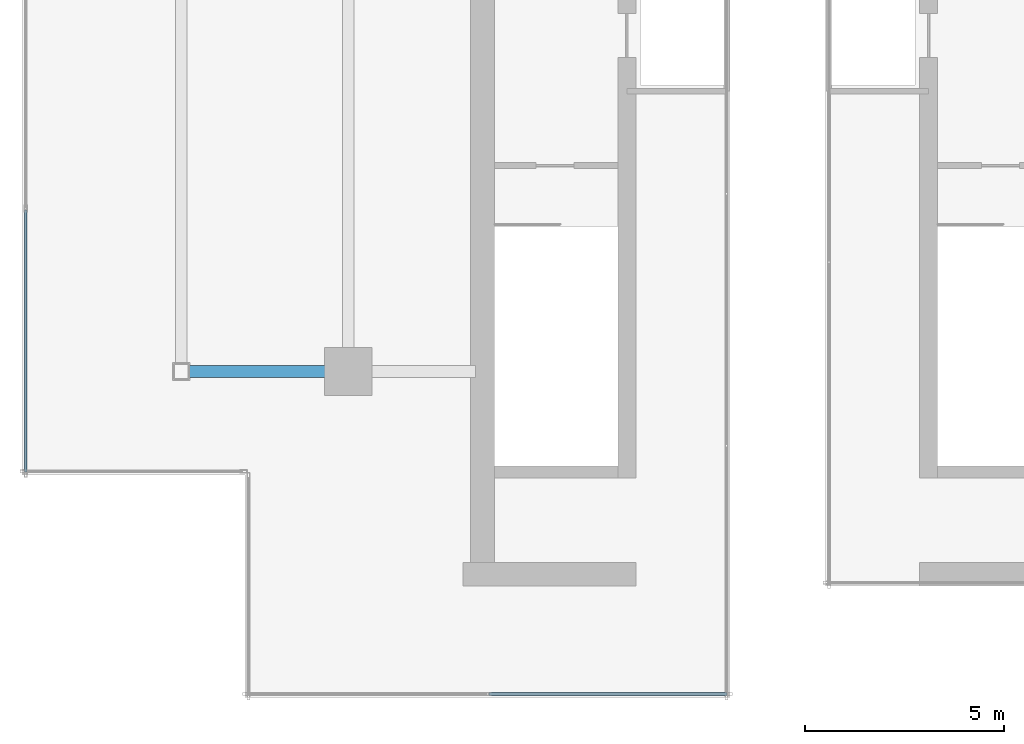
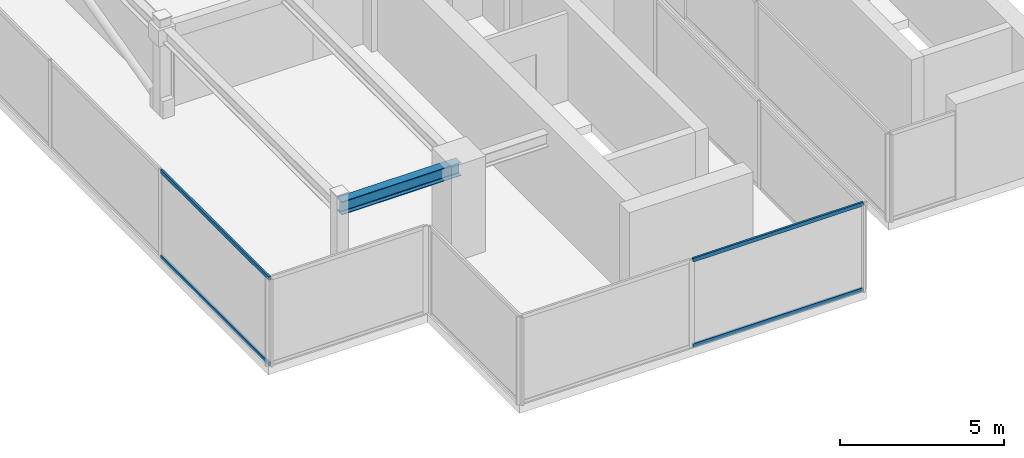
# One storey, part 3 of 16: 4 members, 1 beam, 2 elements without a shape of their own.
"""IFC4 building model written with IfcOpenShell, lengths in metres."""

from ifc_helpers import new_model, si_unit, direction, frame, origin, origin_2d, place, context, subcontext, project, spatial, hollow_rectangle, i_section, extrude, source, transform, mapped, material, material_profile, profile_set, type_object, type_shapes, element, aggregate, save


model = new_model("IFC4")

# Units and contexts
model_context = context("Model", 3, precision=1e-05, world=origin(), true_north=direction((0.0, 1.0)))
body_context = subcontext(model_context, "Body", "Model", "MODEL_VIEW")
ifc_project = project(units=[si_unit("LENGTHUNIT", "METRE"), si_unit("AREAUNIT", "SQUARE_METRE"), si_unit("VOLUMEUNIT", "CUBIC_METRE"), si_unit("PLANEANGLEUNIT", "RADIAN"), si_unit("MASSUNIT", "GRAM", prefix="KILO")], contexts=[model_context])

# Site, building, storey
site_placement = place(None, origin())
site = spatial("IfcSite", under=ifc_project, at=site_placement, CompositionType="ELEMENT")
building_placement = place(site_placement, origin())
building = spatial("IfcBuilding", under=site, at=building_placement, Name="Krantzveldt Concourse Tower", CompositionType="ELEMENT")
storey_placement = place(building_placement, frame((0.0, 0.0, 385.449951171875)))
storey = spatial("IfcBuildingStorey", under=building, at=storey_placement, Name="L95", CompositionType="ELEMENT", Elevation=385.449951171875)

# Beam
ifc_material_1 = material(Name="Steel S355JR", Category="steel")
ifc_material_profile_1 = material_profile(ifc_material_1, i_section(OverallWidth=0.300048828125, OverallDepth=0.489990234375, WebThickness=0.011962890625, FlangeThickness=0.02294921875, FilletRadius=0.027099609375, at=origin_2d()), Name="Steel S355JR", Category="steel")
ifc_profile_set_1 = profile_set([ifc_material_profile_1], Name="Steel S355JR - HEA 500")
beam_type = type_object("IfcBeamType", Name="BM-B-HEA500", PredefinedType="BEAM", material=ifc_profile_set_1)
shared_shape_1 = source(origin(), body_context, "Body", "SweptSolid", [
    extrude(i_section(OverallWidth=0.300048828125, OverallDepth=0.489990234375, WebThickness=0.011962890625, FlangeThickness=0.02294921875, FilletRadius=0.027099609375, at=origin_2d()), origin(), (0.0, 0.0, 1.0), 4.199951171875),
])
type_shapes(beam_type, [shared_shape_1])
beam_placement = place(storey_placement, frame((21.0, 15.89990234375, 3.005126953125), z_axis=(1.0, 0.0, 0.0), x_axis=(0.0, 1.0, 0.0)))
element("IfcBeam", 1, at=beam_placement, inside=storey, type_object=beam_type, Name="L95 Crown Girder WEST-6", PredefinedType="BEAM", context=body_context, shape_type="MappedRepresentation", body=[
    mapped(shared_shape_1, transform((0.0, 0.0, 0.0), x_axis=(1.0, 0.0, 0.0), y_axis=(0.0, 1.0, 0.0), z_axis=(0.0, 0.0, 1.0), scale=1.0)),
])

# Curtain wall, members
ifc_material_2 = material(Name="Anodised aluminium 6063-T6", Category="aluminium")
curtain_wall_type = type_object("IfcCurtainWallType", Name="CW7", PredefinedType="USERDEFINED", material=ifc_material_2)
curtain_wall_1_placement = place(storey_placement, origin())
curtain_wall_1 = element("IfcCurtainWall", 2, at=curtain_wall_1_placement, inside=storey, type_object=curtain_wall_type, Name="CW-L95-WEST-05", ObjectType="UNITISED CURTAIN WALL", PredefinedType="USERDEFINED")
ifc_material_profile_2 = material_profile(ifc_material_2, hollow_rectangle(XDim=0.070068359375, YDim=0.139892578125, WallThickness=0.0048828125, at=origin_2d()), Name="Anodised aluminium 6063-T6", Category="aluminium")
ifc_profile_set_2 = profile_set([ifc_material_profile_2], Name="Anodised aluminium 6063-T6 - ALU-TRAN 140x70x5")
member_type = type_object("IfcMemberType", Name="CW-TRN-150", PredefinedType="USERDEFINED", material=ifc_profile_set_2)
shared_shape_2 = source(origin(), body_context, "Body", "SweptSolid", [
    extrude(hollow_rectangle(XDim=0.070068359375, YDim=0.139892578125, WallThickness=0.0048828125, at=origin_2d()), origin(), (0.0, 0.0, 1.0), 6.594970703125),
])
member_1_placement = place(storey_placement, frame((17.090087890625, 19.965087890625, 0.03515625), z_axis=(0.0, -1.0, 0.0), x_axis=(1.0, 0.0, 0.0)))
member_1 = element("IfcMember", 3, at=member_1_placement, type_object=member_type, Name="CW-CRN transom 4.1", ObjectType="TRANSOM", PredefinedType="USERDEFINED", context=body_context, shape_type="MappedRepresentation", body=[
    mapped(shared_shape_2, transform((0.0, 0.0, 0.0), x_axis=(1.0, 0.0, 0.0), y_axis=(0.0, 1.0, 0.0), z_axis=(0.0, 0.0, 1.0), scale=1.0)),
])
member_2_placement = place(storey_placement, frame((17.090087890625, 19.965087890625, 3.215087890625), z_axis=(0.0, -1.0, 0.0), x_axis=(1.0, 0.0, 0.0)))
member_2 = element("IfcMember", 4, at=member_2_placement, type_object=member_type, Name="CW-CRN transom 4.2", ObjectType="TRANSOM", PredefinedType="USERDEFINED", context=body_context, shape_type="MappedRepresentation", body=[
    mapped(shared_shape_2, transform((0.0, 0.0, 0.0), x_axis=(1.0, 0.0, 0.0), y_axis=(0.0, 1.0, 0.0), z_axis=(0.0, 0.0, 1.0), scale=1.0)),
])
aggregate(curtain_wall_1, [member_1, member_2])

curtain_wall_2_placement = place(storey_placement, origin())
curtain_wall_2 = element("IfcCurtainWall", 5, at=curtain_wall_2_placement, inside=storey, type_object=curtain_wall_type, Name="CW-L95-WEST-00", ObjectType="UNITISED CURTAIN WALL", PredefinedType="USERDEFINED")
shared_shape_3 = source(origin(), body_context, "Body", "SweptSolid", [
    extrude(hollow_rectangle(XDim=0.070068359375, YDim=0.139892578125, WallThickness=0.0048828125, at=origin_2d()), origin(), (0.0, 0.0, 1.0), 5.994873046875),
])
type_shapes(member_type, [shared_shape_2, shared_shape_3])
member_3_placement = place(storey_placement, frame((28.735107421875, 7.7900390625, 0.03515625), z_axis=(1.0, 0.0, 0.0), x_axis=(0.0, 1.0, 0.0)))
member_3 = element("IfcMember", 6, at=member_3_placement, type_object=member_type, Name="CW-CRN transom 2.1", ObjectType="TRANSOM", PredefinedType="USERDEFINED", context=body_context, shape_type="MappedRepresentation", body=[
    mapped(shared_shape_3, transform((0.0, 0.0, 0.0), x_axis=(1.0, 0.0, 0.0), y_axis=(0.0, 1.0, 0.0), z_axis=(0.0, 0.0, 1.0), scale=1.0)),
])
member_4_placement = place(storey_placement, frame((28.735107421875, 7.7900390625, 3.215087890625), z_axis=(1.0, 0.0, 0.0), x_axis=(0.0, 1.0, 0.0)))
member_4 = element("IfcMember", 7, at=member_4_placement, type_object=member_type, Name="CW-CRN transom 2.2", ObjectType="TRANSOM", PredefinedType="USERDEFINED", context=body_context, shape_type="MappedRepresentation", body=[
    mapped(shared_shape_3, transform((0.0, 0.0, 0.0), x_axis=(1.0, 0.0, 0.0), y_axis=(0.0, 1.0, 0.0), z_axis=(0.0, 0.0, 1.0), scale=1.0)),
])
aggregate(curtain_wall_2, [member_3, member_4])

save(model, "model.ifc")
